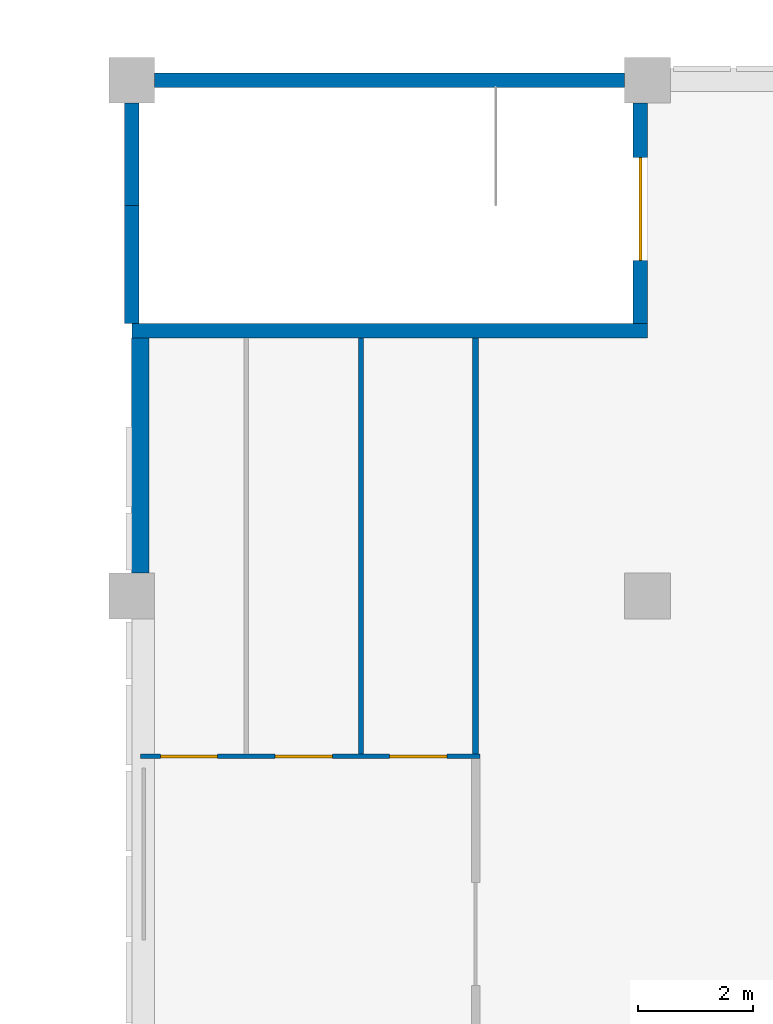
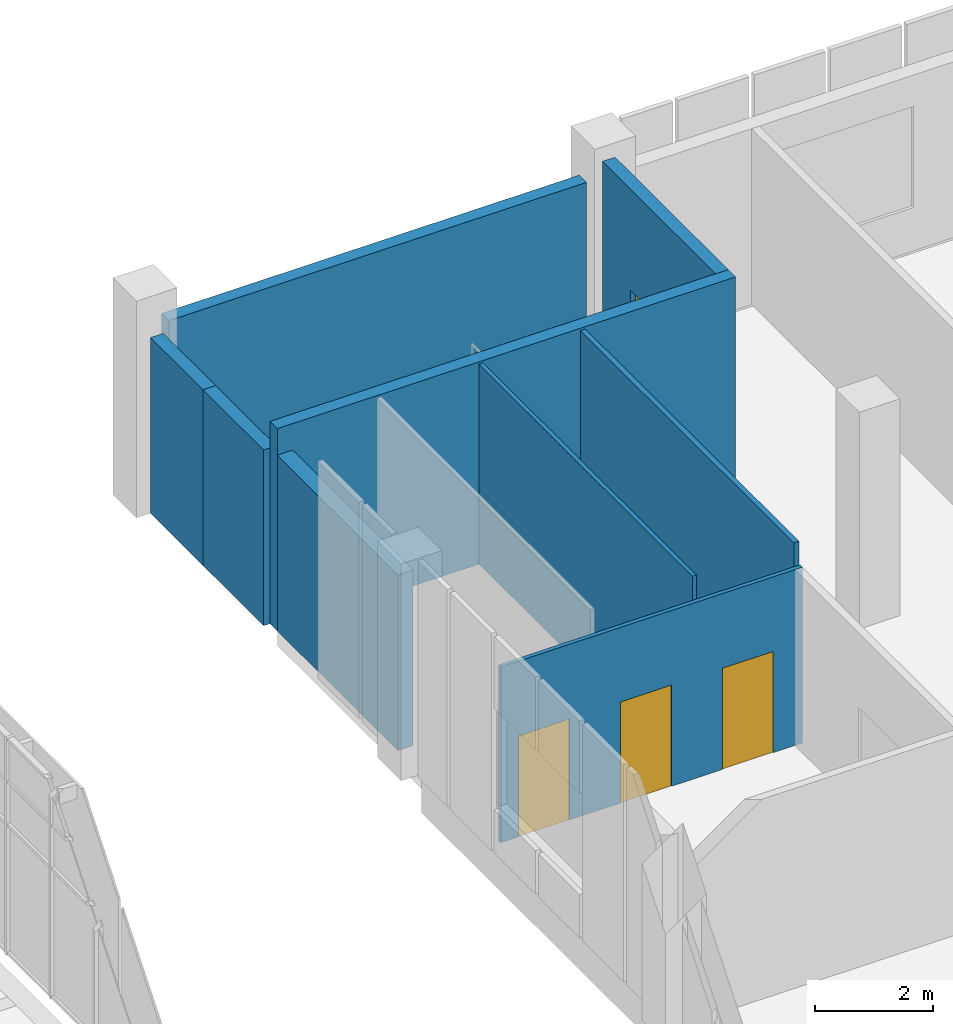
# One storey, part 63 of 88: 9 walls, 4 doors, 4 openings.
"""IFC4 building model written with IfcOpenShell, lengths in metres."""

from ifc_helpers import new_model, si_unit, direction, frame, frame_2d, origin, place, context, subcontext, project, spatial, rectangle, extrude, material, layer, layer_set, type_object, element, fill, save


model = new_model("IFC4")

# Units and contexts
model_context = context("Model", 3, precision=1e-05, world=origin(), true_north=direction((0.0, 1.0)))
body_context = subcontext(model_context, "Body", "Model", "MODEL_VIEW")
ifc_project = project(units=[si_unit("LENGTHUNIT", "METRE"), si_unit("AREAUNIT", "SQUARE_METRE"), si_unit("VOLUMEUNIT", "CUBIC_METRE"), si_unit("PLANEANGLEUNIT", "RADIAN"), si_unit("MASSUNIT", "GRAM", prefix="KILO")], contexts=[model_context])

# Site, building, storey
site_placement = place(None, origin())
site = spatial("IfcSite", under=ifc_project, at=site_placement, CompositionType="ELEMENT")
building_placement = place(site_placement, origin())
building = spatial("IfcBuilding", under=site, at=building_placement, Name="Guidao Yard Department Store", CompositionType="ELEMENT")
storey_placement = place(building_placement, frame((0.0, 0.0, 6.0)))
storey = spatial("IfcBuildingStorey", under=building, at=storey_placement, Name="L01", CompositionType="ELEMENT", Elevation=6.0)

# Wall, openings, doors
ifc_material_1 = material(Name="Moisture-resistant board on Steel Q235 studs", Category="steel")
ifc_layer_1 = layer(ifc_material_1, 0.080078125)
ifc_layer_set_1 = layer_set([ifc_layer_1], Name="Cubicle Partition F6 80 mm moisture-resistant board")
wall_type_1 = type_object("IfcWallType", Name="Cubicle Partition F6 80 mm moisture-resistant board", PredefinedType="PARTITIONING", material=ifc_layer_set_1)
wall_1_placement = place(storey_placement, frame((117.14990234375, 96.199951171875, 0.0), z_axis=(0.0, 0.0, 1.0), x_axis=(1.0, 0.0, 0.0)))
wall_1 = element("IfcWall", 1, at=wall_1_placement, inside=storey, type_object=wall_type_1, Name="Wall W-L01-3025", PredefinedType="PARTITIONING", context=body_context, shape_type="SweptSolid", body=[
    extrude(rectangle(XDim=5.925048828125, YDim=0.080078125, at=frame_2d((2.96240234375, 0.0))), origin(), (0.0, 0.0, 1.0), 3.64990234375),
])
opening_1_placement = place(wall_1_placement, frame((0.35009765625, 0.0, 0.0)))
opening_1 = element("IfcOpeningElement", 2, at=opening_1_placement, cuts=wall_1, Name="Opening L01-315", PredefinedType="OPENING", context=body_context, shape_type="SweptSolid", body=[
    extrude(rectangle(XDim=1.0, YDim=2.10009765625, at=frame_2d((0.5, 1.050048828125))), frame((0.0, 0.050048828125, 0.0), z_axis=(0.0, -1.0, 0.0), x_axis=(1.0, 0.0, 0.0)), (0.0, 0.0, 1.0), 0.10009765625),
])
opening_2_placement = place(wall_1_placement, frame((2.35009765625, 0.0, 0.0)))
opening_2 = element("IfcOpeningElement", 3, at=opening_2_placement, cuts=wall_1, Name="Opening L01-316", PredefinedType="OPENING", context=body_context, shape_type="SweptSolid", body=[
    extrude(rectangle(XDim=1.0, YDim=2.10009765625, at=frame_2d((0.5, 1.050048828125))), frame((0.0, 0.050048828125, 0.0), z_axis=(0.0, -1.0, 0.0), x_axis=(1.0, 0.0, 0.0)), (0.0, 0.0, 1.0), 0.10009765625),
])
opening_3_placement = place(wall_1_placement, frame((4.35009765625, 0.0, 0.0)))
opening_3 = element("IfcOpeningElement", 4, at=opening_3_placement, cuts=wall_1, Name="Opening L01-317", PredefinedType="OPENING", context=body_context, shape_type="SweptSolid", body=[
    extrude(rectangle(XDim=1.0, YDim=2.10009765625, at=frame_2d((0.5, 1.050048828125))), frame((0.0, 0.050048828125, 0.0), z_axis=(0.0, -1.0, 0.0), x_axis=(1.0, 0.0, 0.0)), (0.0, 0.0, 1.0), 0.10009765625),
])
ifc_material_2 = material(Name="Timber door leaf", Category="wood")
door_type_1 = type_object("IfcDoorType", Name="Door FN1 1000 x 2100", OperationType="SINGLE_SWING_LEFT", PredefinedType="DOOR", material=ifc_material_2)
door_1_placement = place(opening_1_placement, origin())
door_1 = element("IfcDoor", 5, at=door_1_placement, inside=storey, type_object=door_type_1, Name="Door L01-315", OperationType="SINGLE_SWING_LEFT", OverallHeight=2.10009765625, OverallWidth=1.0, PredefinedType="DOOR", context=body_context, shape_type="SweptSolid", body=[
    extrude(rectangle(XDim=1.0, YDim=2.10009765625, at=frame_2d((0.5, 1.050048828125))), frame((0.0, 0.02490234375, 0.0), z_axis=(0.0, -1.0, 0.0), x_axis=(1.0, 0.0, 0.0)), (0.0, 0.0, 1.0), 0.050048828125),
])
fill(opening_1, door_1)
door_2_placement = place(opening_3_placement, origin())
door_2 = element("IfcDoor", 6, at=door_2_placement, inside=storey, type_object=door_type_1, Name="Door L01-317", OperationType="SINGLE_SWING_RIGHT", OverallHeight=2.10009765625, OverallWidth=1.0, PredefinedType="DOOR", context=body_context, shape_type="SweptSolid", body=[
    extrude(rectangle(XDim=1.0, YDim=2.10009765625, at=frame_2d((0.5, 1.050048828125))), frame((0.0, 0.02490234375, 0.0), z_axis=(0.0, -1.0, 0.0), x_axis=(1.0, 0.0, 0.0)), (0.0, 0.0, 1.0), 0.050048828125),
])
fill(opening_3, door_2)
ifc_material_3 = material(Name="Timber door leaf", Category="wood")
door_type_2 = type_object("IfcDoorType", Name="Door FN3 accessible WC 1000 x 2100", OperationType="SINGLE_SWING_LEFT", PredefinedType="DOOR", material=ifc_material_3)
door_3_placement = place(opening_2_placement, origin())
door_3 = element("IfcDoor", 7, at=door_3_placement, inside=storey, type_object=door_type_2, Name="Door L01-316", OperationType="SINGLE_SWING_LEFT", OverallHeight=2.10009765625, OverallWidth=1.0, PredefinedType="DOOR", context=body_context, shape_type="SweptSolid", body=[
    extrude(rectangle(XDim=1.0, YDim=2.10009765625, at=frame_2d((0.5, 1.050048828125))), frame((0.0, 0.02490234375, 0.0), z_axis=(0.0, -1.0, 0.0), x_axis=(1.0, 0.0, 0.0)), (0.0, 0.0, 1.0), 0.050048828125),
])
fill(opening_2, door_3)

# Walls
wall_2_placement = place(storey_placement, frame((121.0, 96.239990234375, 0.0), z_axis=(0.0, 0.0, 1.0), x_axis=(0.0, 1.0, 0.0)))
element("IfcWall", 8, at=wall_2_placement, inside=storey, type_object=wall_type_1, Name="Wall W-L01-3027", PredefinedType="PARTITIONING", context=body_context, shape_type="SweptSolid", body=[
    extrude(rectangle(XDim=7.260009765625, YDim=0.080078125, at=frame_2d((3.6298828125, 0.0))), origin(), (0.0, 0.0, 1.0), 4.14990234375),
])
ifc_material_4 = material(Name="Concrete C30", Category="concrete")
ifc_layer_2 = layer(ifc_material_4, 0.300048828125)
ifc_layer_set_2 = layer_set([ifc_layer_2], Name="Food hall wall 300 C30")
wall_type_2 = type_object("IfcWallType", Name="Food hall wall 300 C30", PredefinedType="SOLIDWALL", material=ifc_layer_set_2)
wall_3_placement = place(storey_placement, frame((117.14990234375, 99.39990234375, 0.0), z_axis=(0.0, 0.0, 1.0), x_axis=(0.0, 1.0, 0.0)))
element("IfcWall", 9, at=wall_3_placement, inside=storey, type_object=wall_type_2, Name="Food hall wall", PredefinedType="SOLIDWALL", context=body_context, shape_type="SweptSolid", body=[
    extrude(rectangle(XDim=4.10009765625, YDim=0.300048828125, at=frame_2d((2.050048828125, 0.0))), origin(), (0.0, 0.0, 1.0), 3.64990234375),
])
ifc_material_5 = material(Name="Gypsum board on Steel Q235 studs", Category="steel")
ifc_layer_3 = layer(ifc_material_5, 0.10009765625)
ifc_layer_set_3 = layer_set([ifc_layer_3], Name="Partition F1 100 mm gypsum board EI 30")
wall_type_3 = type_object("IfcWallType", Name="Partition F1 100 mm gypsum board EI 30", PredefinedType="PARTITIONING", material=ifc_layer_set_3)
wall_4_placement = place(storey_placement, frame((123.0, 96.239990234375, 0.0), z_axis=(0.0, 0.0, 1.0), x_axis=(0.0, 1.0, 0.0)))
element("IfcWall", 10, at=wall_4_placement, inside=storey, type_object=wall_type_3, Name="Wall W-L01-3028", PredefinedType="PARTITIONING", context=body_context, shape_type="SweptSolid", body=[
    extrude(rectangle(XDim=7.260009765625, YDim=0.10009765625, at=frame_2d((3.6298828125, 0.0))), origin(), (0.0, 0.0, 1.0), 4.14990234375),
])
ifc_material_6 = material(Name="Concrete C40", Category="concrete")
ifc_layer_4 = layer(ifc_material_6, 0.25)
ifc_layer_set_4 = layer_set([ifc_layer_4], Name="Wall RC 250 C40 stair and shaft")
wall_type_4 = type_object("IfcWallType", Name="Wall RC 250 C40 stair and shaft", PredefinedType="SHEAR", material=ifc_layer_set_4)
wall_5_placement = place(storey_placement, frame((117.0, 103.625, 0.0), z_axis=(0.0, 0.0, 1.0), x_axis=(1.0, 0.0, 0.0)))
element("IfcWall", 11, at=wall_5_placement, inside=storey, type_object=wall_type_4, Name="Stair wall SF3", PredefinedType="SHEAR", context=body_context, shape_type="SweptSolid", body=[
    extrude(rectangle(XDim=9.0, YDim=0.25, at=frame_2d((4.5, 0.0))), origin(), (0.0, 0.0, 1.0), 4.199951171875),
])
wall_6_placement = place(storey_placement, frame((117.39990234375, 108.0, 0.0), z_axis=(0.0, 0.0, 1.0), x_axis=(1.0, 0.0, 0.0)))
element("IfcWall", 12, at=wall_6_placement, inside=storey, type_object=wall_type_4, Name="Stair wall SF3", PredefinedType="SHEAR", context=body_context, shape_type="SweptSolid", body=[
    extrude(rectangle(XDim=8.2001953125, YDim=0.25, at=frame_2d((4.10009765625, 0.0))), origin(), (0.0, 0.0, 1.0), 3.64990234375),
])
wall_7_placement = place(storey_placement, frame((117.0, 103.75, 0.0), z_axis=(0.0, 0.0, 1.0), x_axis=(0.0, 1.0, 0.0)))
element("IfcWall", 13, at=wall_7_placement, inside=storey, type_object=wall_type_4, Name="Stair wall SF3", PredefinedType="SHEAR", context=body_context, shape_type="SweptSolid", body=[
    extrude(rectangle(XDim=2.06201171875, YDim=0.25, at=frame_2d((1.031005859375, 0.0))), origin(), (0.0, 0.0, 1.0), 3.64990234375),
])
wall_8_placement = place(storey_placement, frame((117.0, 105.81201171875, 0.0), z_axis=(0.0, 0.0, 1.0), x_axis=(0.0, 1.0, 0.0)))
element("IfcWall", 14, at=wall_8_placement, inside=storey, type_object=wall_type_4, Name="Stair wall SF3", PredefinedType="SHEAR", context=body_context, shape_type="SweptSolid", body=[
    extrude(rectangle(XDim=1.7880859375, YDim=0.25, at=frame_2d((0.89404296875, 0.0))), origin(), (0.0, 0.0, 1.0), 3.64990234375),
])

# Wall, opening, door
wall_9_placement = place(storey_placement, frame((125.875, 103.75, 0.0), z_axis=(0.0, 0.0, 1.0), x_axis=(0.0, 1.0, 0.0)))
wall_9 = element("IfcWall", 15, at=wall_9_placement, inside=storey, type_object=wall_type_4, Name="Stair wall SF3", PredefinedType="SHEAR", context=body_context, shape_type="SweptSolid", body=[
    extrude(rectangle(XDim=3.85009765625, YDim=0.25, at=frame_2d((1.925048828125, 0.0))), origin(), (0.0, 0.0, 1.0), 4.199951171875),
])
opening_4_placement = place(wall_9_placement, frame((1.10009765625, 0.0, 0.0)))
opening_4 = element("IfcOpeningElement", 16, at=opening_4_placement, cuts=wall_9, Name="Opening L01-810", PredefinedType="OPENING", context=body_context, shape_type="SweptSolid", body=[
    extrude(rectangle(XDim=1.800048828125, YDim=2.10009765625, at=frame_2d((0.89990234375, 1.050048828125))), frame((0.0, 0.135009765625, 0.0), z_axis=(0.0, -1.0, 0.0), x_axis=(1.0, 0.0, 0.0)), (0.0, 0.0, 1.0), 0.27001953125),
])
ifc_material_7 = material(Name="Steel Q235", Category="steel")
door_type_3 = type_object("IfcDoorType", Name="Door fire-resisting 1800 x 2100 FD60", OperationType="DOUBLE_DOOR_SINGLE_SWING", PredefinedType="DOOR", material=ifc_material_7)
door_4_placement = place(opening_4_placement, origin())
door_4 = element("IfcDoor", 17, at=door_4_placement, inside=storey, type_object=door_type_3, Name="Stair F3 door L01", OperationType="DOUBLE_DOOR_SINGLE_SWING", OverallHeight=2.10009765625, OverallWidth=1.800048828125, PredefinedType="DOOR", context=body_context, shape_type="SweptSolid", body=[
    extrude(rectangle(XDim=1.800048828125, YDim=2.10009765625, at=frame_2d((0.89990234375, 1.050048828125))), frame((0.0, 0.02490234375, 0.0), z_axis=(0.0, -1.0, 0.0), x_axis=(1.0, 0.0, 0.0)), (0.0, 0.0, 1.0), 0.050048828125),
])
fill(opening_4, door_4)

save(model, "model.ifc")
